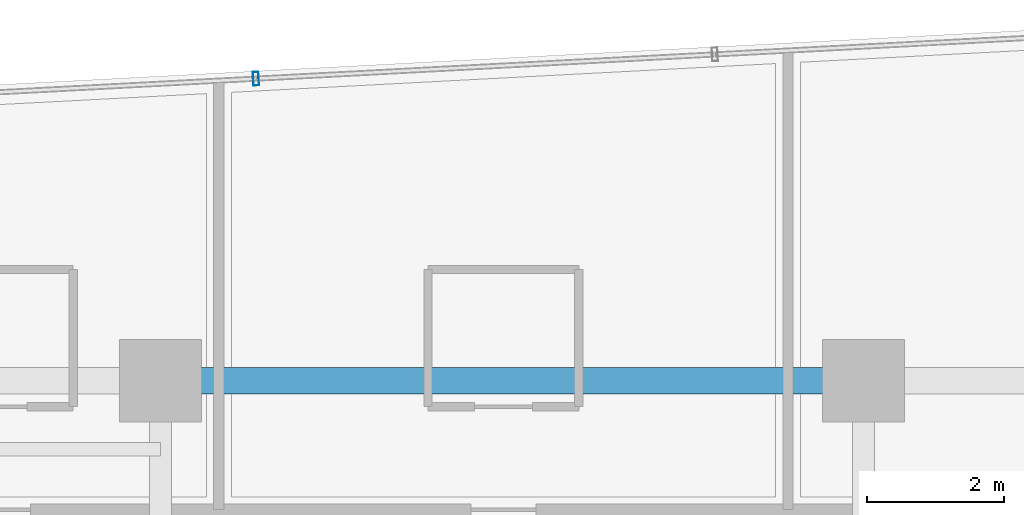
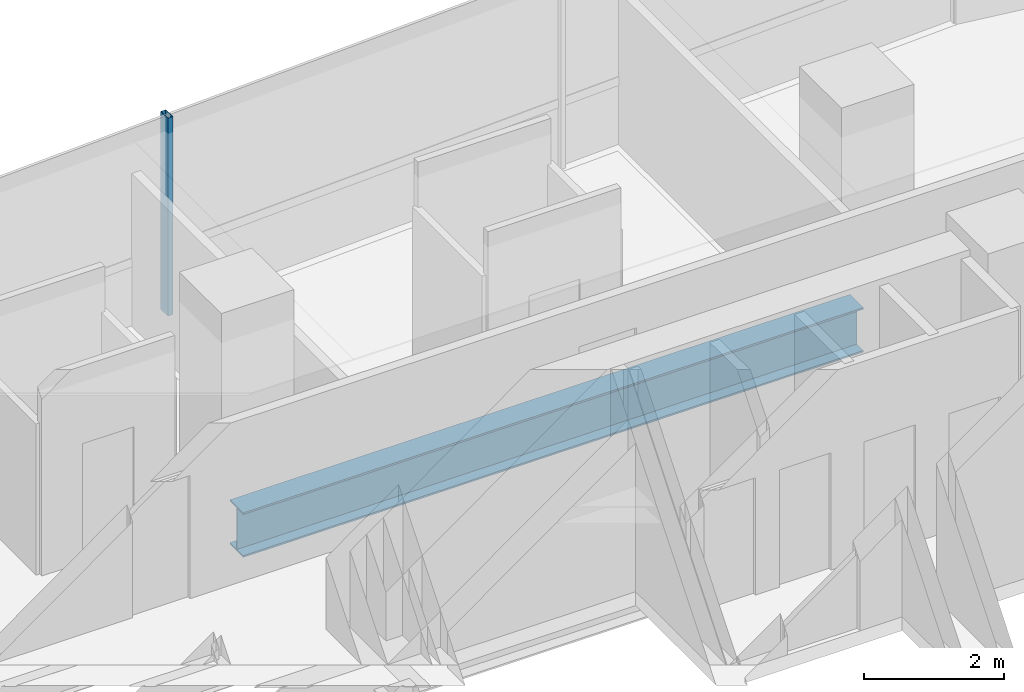
# One storey, part 21 of 36: 1 beam, 1 member, 1 element without a shape of its own.
"""IFC4 building model written with IfcOpenShell, lengths in metres."""

from ifc_helpers import new_model, si_unit, direction, frame, origin, origin_2d, place, context, subcontext, project, spatial, hollow_rectangle, i_section, extrude, source, transform, mapped, material, material_profile, profile_set, type_object, element, aggregate, save


model = new_model("IFC4")

# Units and contexts
model_context = context("Model", 3, precision=1e-05, world=origin(), true_north=direction((0.0, 1.0)))
body_context = subcontext(model_context, "Body", "Model", "MODEL_VIEW")
ifc_project = project(units=[si_unit("LENGTHUNIT", "METRE"), si_unit("AREAUNIT", "SQUARE_METRE"), si_unit("VOLUMEUNIT", "CUBIC_METRE"), si_unit("PLANEANGLEUNIT", "RADIAN"), si_unit("MASSUNIT", "GRAM", prefix="KILO")], contexts=[model_context])

# Site, building, storey
site_placement = place(None, origin())
site = spatial("IfcSite", under=ifc_project, at=site_placement, CompositionType="ELEMENT")
building_placement = place(site_placement, origin())
building = spatial("IfcBuilding", under=site, at=building_placement, Name="Valdorenza Pilgrim Sanctuary Tower", CompositionType="ELEMENT")
storey_placement = place(building_placement, frame((0.0, 0.0, 153.800048828125)))
storey = spatial("IfcBuildingStorey", under=building, at=storey_placement, Name="L39", CompositionType="ELEMENT", Elevation=153.800048828125)

# Beam
ifc_material_1 = material(Name="Steel ASTM A992 Grade 50", Category="steel")
ifc_material_profile_1 = material_profile(ifc_material_1, i_section(OverallWidth=0.382080078125, OverallDepth=0.779052734375, WebThickness=0.01806640625, FlangeThickness=0.030029296875, at=origin_2d()), Name="W30X191")
ifc_profile_set_1 = profile_set([ifc_material_profile_1], Name="Steel ASTM A992 Grade 50")
beam_type = type_object("IfcBeamType", Name="STR-BM-GRD-W30", PredefinedType="BEAM", material=ifc_profile_set_1)
shared_shape_1 = source(origin(), body_context, "Body", "SweptSolid", [
    extrude(i_section(OverallWidth=0.382080078125, OverallDepth=0.779052734375, WebThickness=0.01806640625, FlangeThickness=0.030029296875, at=origin_2d()), origin(), (0.0, 0.0, 1.0), 10.25),
])
beam_placement = place(storey_placement, frame((-22.64990234375, 14.800048828125, -0.629638671875), z_axis=(1.0, 0.0, 0.0), x_axis=(0.0, 1.0, 0.0)))
element("IfcBeam", 1, at=beam_placement, inside=storey, type_object=beam_type, Name="L39 Floor Girder CA-XC-N2", PredefinedType="BEAM", context=body_context, shape_type="MappedRepresentation", body=[
    mapped(shared_shape_1, transform((0.0, 0.0, 0.0), x_axis=(1.0, 0.0, 0.0), y_axis=(0.0, 1.0, 0.0), z_axis=(0.0, 0.0, 1.0), scale=1.0)),
])

# Curtain wall, member
ifc_material_2 = material(Name="Curtain-wall IGU glazing", Category="glass")
curtain_wall_type = type_object("IfcCurtainWallType", Name="CW-SYS-02", PredefinedType="NOTDEFINED", material=ifc_material_2)
curtain_wall_placement = place(storey_placement, origin())
curtain_wall = element("IfcCurtainWall", 2, at=curtain_wall_placement, inside=storey, type_object=curtain_wall_type, Name="L39 Curtain Wall CW-L39-1-6", PredefinedType="NOTDEFINED")
ifc_material_3 = material(Name="Anodised aluminium AW-6060", Category="aluminium")
ifc_material_profile_2 = material_profile(ifc_material_3, hollow_rectangle(XDim=0.0849609375, YDim=0.199951171875, WallThickness=0.0048828125, at=origin_2d()), Name="ALU-M 200x85x5")
ifc_profile_set_2 = profile_set([ifc_material_profile_2], Name="Anodised aluminium AW-6060")
member_type = type_object("IfcMemberType", Name="CW-MUL-02", PredefinedType="MULLION", material=ifc_profile_set_2)
shared_shape_2 = source(origin(), body_context, "Body", "SweptSolid", [
    extrude(hollow_rectangle(XDim=0.0849609375, YDim=0.199951171875, WallThickness=0.0048828125, at=origin_2d()), origin(), (0.0, 0.0, 1.0), 3.4599609375),
])
member_placement = place(storey_placement, frame((-21.259765625, 19.204345703125, 0.0), z_axis=(0.0, 0.0, 1.0), x_axis=(0.998607524712, 0.052754256601, 0.0)))
member = element("IfcMember", 3, at=member_placement, type_object=member_type, Name="CW-L39-1-6 Mullion 2", PredefinedType="MULLION", context=body_context, shape_type="MappedRepresentation", body=[
    mapped(shared_shape_2, transform((0.0, 0.0, 0.0), x_axis=(1.0, 0.0, 0.0), y_axis=(0.0, 1.0, 0.0), z_axis=(0.0, 0.0, 1.0), scale=1.0)),
])
aggregate(curtain_wall, [member])

save(model, "model.ifc")
